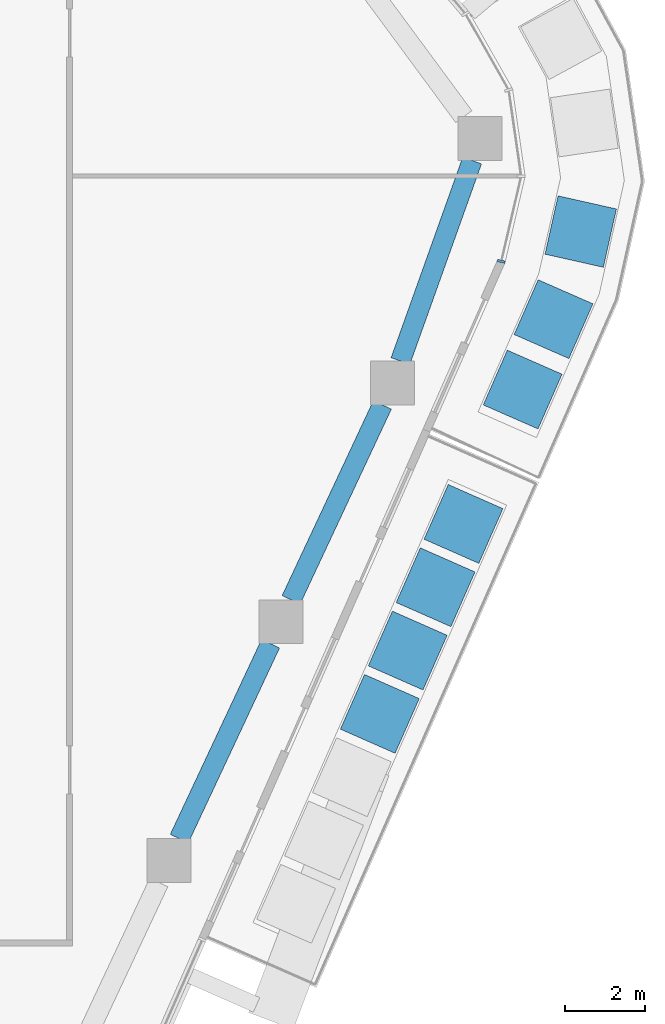
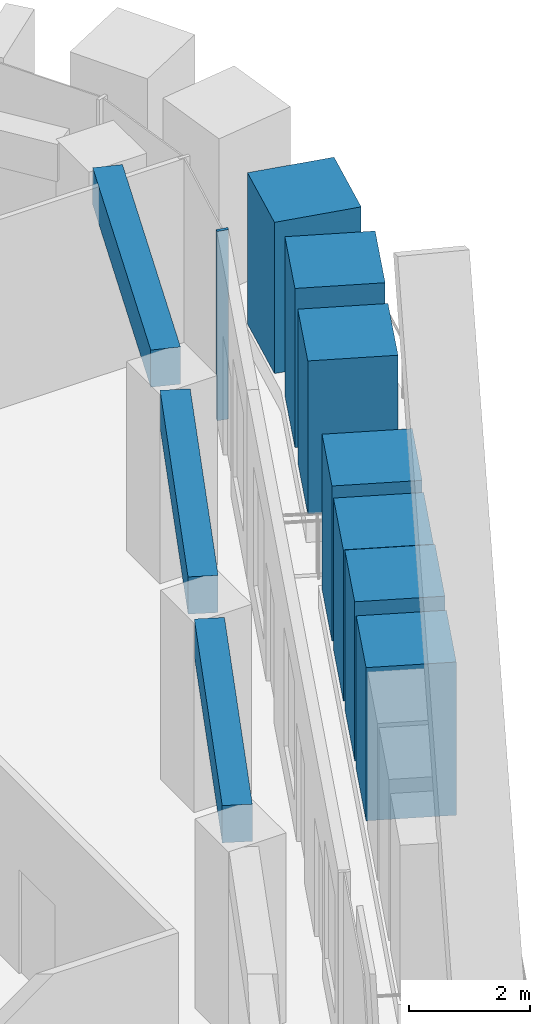
# One storey, part 5 of 20: 8 members, 3 beams, 1 element without a shape of its own.
"""IFC4 building model written with IfcOpenShell, lengths in metres."""

from ifc_helpers import new_model, si_unit, direction, frame, origin, origin_2d, place, context, subcontext, project, spatial, rectangle, extrude, material, layer, layer_set, material_profile, profile_set, type_object, element, aggregate, save


model = new_model("IFC4")

# Units and contexts
model_context = context("Model", 3, precision=1e-05, world=origin(), true_north=direction((0.0, 1.0)))
body_context = subcontext(model_context, "Body", "Model", "MODEL_VIEW")
ifc_project = project(units=[si_unit("LENGTHUNIT", "METRE"), si_unit("AREAUNIT", "SQUARE_METRE"), si_unit("VOLUMEUNIT", "CUBIC_METRE"), si_unit("PLANEANGLEUNIT", "RADIAN"), si_unit("MASSUNIT", "GRAM", prefix="KILO")], contexts=[model_context])

# Site, building, storey
site_placement = place(None, origin())
site = spatial("IfcSite", under=ifc_project, at=site_placement, CompositionType="ELEMENT")
building_placement = place(site_placement, origin())
building = spatial("IfcBuilding", under=site, at=building_placement, Name="Dongbaek Canopy Tower", CompositionType="ELEMENT")
storey_placement = place(building_placement, frame((0.0, 0.0, 266.39990234375)))
storey = spatial("IfcBuildingStorey", under=building, at=storey_placement, Name="L56", CompositionType="ELEMENT", Elevation=266.39990234375)

# Curtain wall, member
ifc_material_1 = material(Name="Aluminium 6063-T6 pale anodised", Category="aluminium")
ifc_layer = layer(ifc_material_1, 0.199951171875)
ifc_layer_set = layer_set([ifc_layer], Name="CW-1 unitised tower curtain wall")
curtain_wall_type = type_object("IfcCurtainWallType", Name="CW-1 unitised tower curtain wall", PredefinedType="NOTDEFINED", material=ifc_layer_set)
curtain_wall_placement = place(storey_placement, origin())
curtain_wall = element("IfcCurtainWall", 1, at=curtain_wall_placement, inside=storey, type_object=curtain_wall_type, Name="CW-1 curtain wall K0.1", PredefinedType="NOTDEFINED")
ifc_material_2 = material(Name="Aluminium 6063-T6 pale anodised", Category="aluminium")
ifc_material_profile_1 = material_profile(ifc_material_2, rectangle(XDim=0.199951171875, YDim=0.06005859375, at=origin_2d()), Name="CW-1 mullion 60 x 200")
ifc_profile_set_1 = profile_set([ifc_material_profile_1], Name="Aluminium 6063-T6 pale anodised")
member_type_1 = type_object("IfcMemberType", Name="CW-1 mullion 60 x 200", PredefinedType="MULLION", material=ifc_profile_set_1)
member_1_placement = place(storey_placement, frame((28.02490234375, 2.897705078125, 0.0), z_axis=(0.0, 0.0, 1.0), x_axis=(0.973926758053, -0.226862667596, 0.0)))
member_1 = element("IfcMember", 2, at=member_1_placement, type_object=member_type_1, Name="CW-1 mullion K0.1.1", PredefinedType="MULLION", context=body_context, shape_type="SweptSolid", body=[
    extrude(rectangle(XDim=0.199951171875, YDim=0.06005859375, at=origin_2d()), origin(), (0.0, 0.0, 1.0), 3.820068359375),
])
aggregate(curtain_wall, [member_1])

# Beams
ifc_material_3 = material(Name="Concrete C70", Category="concrete")
ifc_material_profile_2 = material_profile(ifc_material_3, rectangle(XDim=0.5, YDim=0.75, at=origin_2d()), Name="RC EDGE BEAM 500x750 C70")
ifc_profile_set_2 = profile_set([ifc_material_profile_2], Name="Concrete C70")
beam_type = type_object("IfcBeamType", Name="RC EDGE BEAM 500x750 C70", PredefinedType="BEAM", material=ifc_profile_set_2)
beam_1_placement = place(storey_placement, frame((27.29541015625, 5.427001953125, 3.445068359375), z_axis=(-0.336466714227, -0.94169535956, 0.0), x_axis=(0.94169535956, -0.336466714227, 0.0)))
element("IfcBeam", 3, at=beam_1_placement, inside=storey, type_object=beam_type, Name="EDGEBEAM:L56:21", PredefinedType="BEAM", context=body_context, shape_type="SweptSolid", body=[
    extrude(rectangle(XDim=0.5, YDim=0.75, at=origin_2d()), origin(), (0.0, 0.0, 1.0), 5.34033203125),
])
beam_2_placement = place(storey_placement, frame((25.04443359375, -0.701904296875, 3.445068359375), z_axis=(-0.423972479832, -0.905675072167, 0.0), x_axis=(0.905675072167, -0.423972479832, 0.0)))
element("IfcBeam", 4, at=beam_2_placement, inside=storey, type_object=beam_type, Name="EDGEBEAM:L56:22", PredefinedType="BEAM", context=body_context, shape_type="SweptSolid", body=[
    extrude(rectangle(XDim=0.5, YDim=0.75, at=origin_2d()), origin(), (0.0, 0.0, 1.0), 5.396240234375),
])
beam_3_placement = place(storey_placement, frame((22.241455078125, -6.68896484375, 3.445068359375), z_axis=(-0.424105880993, -0.905612611279, 0.0), x_axis=(0.905612611279, -0.424105880993, 0.0)))
element("IfcBeam", 5, at=beam_3_placement, inside=storey, type_object=beam_type, Name="EDGEBEAM:L56:23", PredefinedType="BEAM", context=body_context, shape_type="SweptSolid", body=[
    extrude(rectangle(XDim=0.5, YDim=0.75, at=origin_2d()), origin(), (0.0, 0.0, 1.0), 5.3974609375),
])

# Members
ifc_material_4 = material(Name="Concrete C40/50 planter mass with planting", Category="concrete")
ifc_material_profile_3 = material_profile(ifc_material_4, rectangle(XDim=1.5, YDim=1.5, at=origin_2d()), Name="Terrace PLANTER shrub mass 1500 x 1500")
ifc_profile_set_3 = profile_set([ifc_material_profile_3], Name="Concrete C40/50 planter mass with planting")
member_type_2 = type_object("IfcMemberType", Name="Terrace PLANTER shrub mass 1500 x 1500", PredefinedType="USERDEFINED", material=ifc_profile_set_3)
member_2_placement = place(storey_placement, frame((24.980224609375, -8.448974609375, 0.420166015625), z_axis=(0.0, 0.0, 1.0), x_axis=(0.915073119112, -0.403287969917, 0.0)))
element("IfcMember", 6, at=member_2_placement, inside=storey, type_object=member_type_2, Name="Planter shrubs L56 3.4", ObjectType="PLANTER", PredefinedType="USERDEFINED", context=body_context, shape_type="SweptSolid", body=[
    extrude(rectangle(XDim=1.5, YDim=1.5, at=origin_2d()), origin(), (0.0, 0.0, 1.0), 3.08984375),
])
member_3_placement = place(storey_placement, frame((25.679931640625, -6.861328125, 0.420166015625), z_axis=(0.0, 0.0, 1.0), x_axis=(0.915073119112, -0.403287969917, 0.0)))
element("IfcMember", 7, at=member_3_placement, inside=storey, type_object=member_type_2, Name="Planter shrubs L56 3.5", ObjectType="PLANTER", PredefinedType="USERDEFINED", context=body_context, shape_type="SweptSolid", body=[
    extrude(rectangle(XDim=1.5, YDim=1.5, at=origin_2d()), origin(), (0.0, 0.0, 1.0), 3.2099609375),
])
member_4_placement = place(storey_placement, frame((26.379638671875, -5.27392578125, 0.420166015625), z_axis=(0.0, 0.0, 1.0), x_axis=(0.915073119112, -0.403287969917, 0.0)))
element("IfcMember", 8, at=member_4_placement, inside=storey, type_object=member_type_2, Name="Planter shrubs L56 3.6", ObjectType="PLANTER", PredefinedType="USERDEFINED", context=body_context, shape_type="SweptSolid", body=[
    extrude(rectangle(XDim=1.5, YDim=1.5, at=origin_2d()), origin(), (0.0, 0.0, 1.0), 3.050048828125),
])
member_5_placement = place(storey_placement, frame((27.079345703125, -3.686279296875, 0.420166015625), z_axis=(0.0, 0.0, 1.0), x_axis=(0.915073119112, -0.403287969917, 0.0)))
element("IfcMember", 9, at=member_5_placement, inside=storey, type_object=member_type_2, Name="Planter shrubs L56 3.7", ObjectType="PLANTER", PredefinedType="USERDEFINED", context=body_context, shape_type="SweptSolid", body=[
    extrude(rectangle(XDim=1.5, YDim=1.5, at=origin_2d()), origin(), (0.0, 0.0, 1.0), 3.1298828125),
])
member_6_placement = place(storey_placement, frame((28.562255859375, -0.31689453125, 0.420166015625), z_axis=(0.0, 0.0, 1.0), x_axis=(0.915837500878, -0.40154909038, 0.0)))
element("IfcMember", 10, at=member_6_placement, inside=storey, type_object=member_type_2, Name="Planter shrubs L56 4.1", ObjectType="PLANTER", PredefinedType="USERDEFINED", context=body_context, shape_type="SweptSolid", body=[
    extrude(rectangle(XDim=1.5, YDim=1.5, at=origin_2d()), origin(), (0.0, 0.0, 1.0), 3.08984375),
])
member_7_placement = place(storey_placement, frame((29.336181640625, 1.448486328125, 0.420166015625), z_axis=(0.0, 0.0, 1.0), x_axis=(0.915837500878, -0.40154909038, 0.0)))
element("IfcMember", 11, at=member_7_placement, inside=storey, type_object=member_type_2, Name="Planter shrubs L56 4.2", ObjectType="PLANTER", PredefinedType="USERDEFINED", context=body_context, shape_type="SweptSolid", body=[
    extrude(rectangle(XDim=1.5, YDim=1.5, at=origin_2d()), origin(), (0.0, 0.0, 1.0), 3.2099609375),
])
member_8_placement = place(storey_placement, frame((30.01806640625, 3.644775390625, 0.420166015625), z_axis=(0.0, 0.0, 1.0), x_axis=(0.975740328168, -0.218931066744, 0.0)))
element("IfcMember", 12, at=member_8_placement, inside=storey, type_object=member_type_2, Name="Planter shrubs L56 4.3", ObjectType="PLANTER", PredefinedType="USERDEFINED", context=body_context, shape_type="SweptSolid", body=[
    extrude(rectangle(XDim=1.5, YDim=1.5, at=origin_2d()), origin(), (0.0, 0.0, 1.0), 3.050048828125),
])

save(model, "model.ifc")
